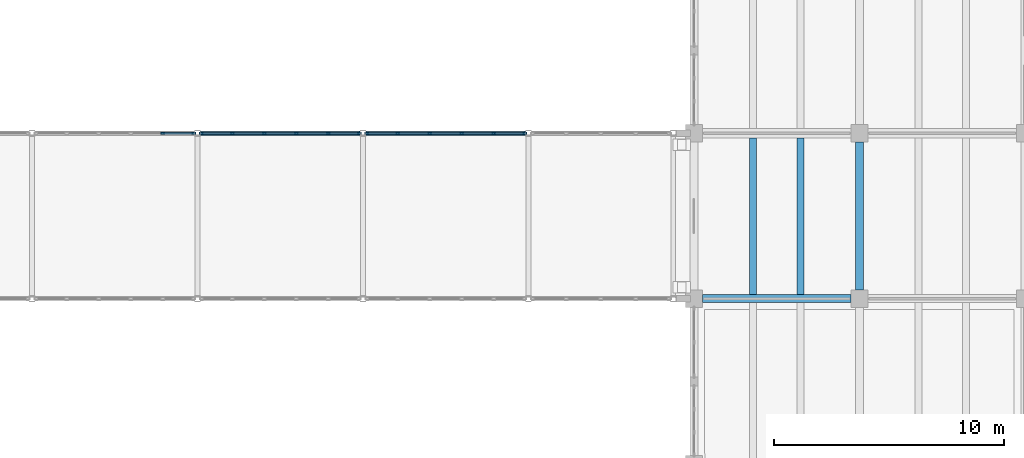
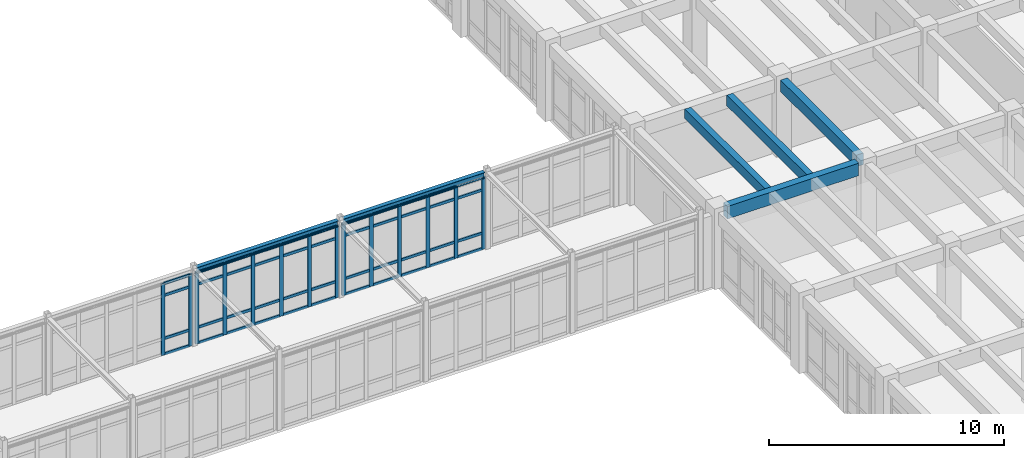
# One storey, part 60 of 136: 57 members, 6 beams, 3 elements without a shape of their own.
"""IFC4 building model written with IfcOpenShell, lengths in metres."""

from ifc_helpers import new_model, si_unit, direction, frame, origin, origin_2d, place, context, subcontext, project, spatial, rectangle, i_section, extrude, material, layer, layer_set, material_profile, profile_set, type_object, element, aggregate, save


model = new_model("IFC4")

# Units and contexts
model_context = context("Model", 3, precision=1e-05, world=origin(), true_north=direction((0.0, 1.0)))
body_context = subcontext(model_context, "Body", "Model", "MODEL_VIEW")
ifc_project = project(units=[si_unit("LENGTHUNIT", "METRE"), si_unit("AREAUNIT", "SQUARE_METRE"), si_unit("VOLUMEUNIT", "CUBIC_METRE"), si_unit("PLANEANGLEUNIT", "RADIAN"), si_unit("MASSUNIT", "GRAM", prefix="KILO")], contexts=[model_context])

# Site, building, storey
site_placement = place(None, origin())
site = spatial("IfcSite", under=ifc_project, at=site_placement, CompositionType="ELEMENT")
building_placement = place(site_placement, origin())
building = spatial("IfcBuilding", under=site, at=building_placement, Name="Koriwan Promenade Central Fire Station", CompositionType="ELEMENT")
storey_placement = place(building_placement, frame((0.0, 0.0, 5.39990234375)))
storey = spatial("IfcBuildingStorey", under=building, at=storey_placement, Name="L01", CompositionType="ELEMENT", Elevation=5.39990234375)

# Beams
ifc_material_1 = material(Name="Concrete C35/45", Category="concrete")
ifc_material_profile_1 = material_profile(ifc_material_1, rectangle(XDim=0.300048828125, YDim=0.5, at=origin_2d()), Name="RC-BM-300x500")
ifc_profile_set_1 = profile_set([ifc_material_profile_1], Name="Concrete C35/45")
beam_type_1 = type_object("IfcBeamType", Name="Beam_RC-BM-300x500", PredefinedType="JOIST", material=ifc_profile_set_1)
beam_1_placement = place(storey_placement, frame((153.76806640625, 43.375, 3.7001953125), z_axis=(0.0, 1.0, 0.0), x_axis=(-1.0, 0.0, 0.0)))
element("IfcBeam", 1, at=beam_1_placement, inside=storey, type_object=beam_type_1, Name="V5 L01 secondary joist 731", PredefinedType="JOIST", context=body_context, shape_type="SweptSolid", body=[
    extrude(rectangle(XDim=0.300048828125, YDim=0.5, at=origin_2d()), origin(), (0.0, 0.0, 1.0), 6.824951171875),
])
ifc_material_profile_2 = material_profile(ifc_material_1, rectangle(XDim=0.300048828125, YDim=0.550048828125, at=origin_2d()), Name="RC-BM-300x550")
ifc_profile_set_2 = profile_set([ifc_material_profile_2], Name="Concrete C35/45")
beam_type_2 = type_object("IfcBeamType", Name="Beam_RC-BM-300x550", PredefinedType="JOIST", material=ifc_profile_set_2)
beam_2_placement = place(storey_placement, frame((155.83203125, 43.375, 3.675048828125), z_axis=(0.0, 1.0, 0.0), x_axis=(-1.0, 0.0, 0.0)))
element("IfcBeam", 2, at=beam_2_placement, inside=storey, type_object=beam_type_2, Name="V5 L01 secondary joist 732", PredefinedType="JOIST", context=body_context, shape_type="SweptSolid", body=[
    extrude(rectangle(XDim=0.300048828125, YDim=0.550048828125, at=origin_2d()), origin(), (0.0, 0.0, 1.0), 6.824951171875),
])
ifc_material_profile_3 = material_profile(ifc_material_1, rectangle(XDim=0.35009765625, YDim=0.60009765625, at=origin_2d()), Name="RC-BM-350x600")
ifc_profile_set_3 = profile_set([ifc_material_profile_3], Name="Concrete C35/45")
beam_type_3 = type_object("IfcBeamType", Name="Beam_RC-BM-350x600", PredefinedType="BEAM", material=ifc_profile_set_3)
beam_3_placement = place(storey_placement, frame((158.39990234375, 43.574951171875, 3.650146484375), z_axis=(0.0, 1.0, 0.0), x_axis=(-1.0, 0.0, 0.0)))
element("IfcBeam", 3, at=beam_3_placement, inside=storey, type_object=beam_type_3, Name="V5 L01 girder Y-676", PredefinedType="BEAM", context=body_context, shape_type="SweptSolid", body=[
    extrude(rectangle(XDim=0.35009765625, YDim=0.60009765625, at=origin_2d()), origin(), (0.0, 0.0, 1.0), 6.449951171875),
])
ifc_material_profile_4 = material_profile(ifc_material_1, rectangle(XDim=0.35009765625, YDim=0.64990234375, at=origin_2d()), Name="RC-SP-350x650")
ifc_profile_set_4 = profile_set([ifc_material_profile_4], Name="Concrete C35/45")
beam_type_4 = type_object("IfcBeamType", Name="Beam_RC-SP-350x650", PredefinedType="SPANDREL", material=ifc_profile_set_4)
beam_4_placement = place(storey_placement, frame((151.574951171875, 43.199951171875, 3.625), z_axis=(1.0, 0.0, 0.0), x_axis=(0.0, 1.0, 0.0)))
element("IfcBeam", 4, at=beam_4_placement, inside=storey, type_object=beam_type_4, Name="V5 L01 girder X-643", PredefinedType="SPANDREL", context=body_context, shape_type="SweptSolid", body=[
    extrude(rectangle(XDim=0.35009765625, YDim=0.64990234375, at=origin_2d()), origin(), (0.0, 0.0, 1.0), 6.449951171875),
])

# Curtain wall, members
ifc_material_2 = material(Name="Aluminium EN AW-6063-T6 and low-E glazing", Category="aluminium")
ifc_layer = layer(ifc_material_2, 0.159912109375, Name="Aluminium EN AW-6063-T6 and low-E glazing")
ifc_layer_set = layer_set([ifc_layer], Name="Aluminium EN AW-6063-T6 and low-E glazing")
curtain_wall_type = type_object("IfcCurtainWallType", Name="CurtainWall_98_695x374", PredefinedType="USERDEFINED", material=ifc_layer_set)
curtain_wall_1_placement = place(storey_placement, origin())
curtain_wall_1 = element("IfcCurtainWall", 5, at=curtain_wall_1_placement, inside=storey, type_object=curtain_wall_type, Name="V5 L01 unitised curtain wall 311", ObjectType="UNITISED CURTAIN WALL", PredefinedType="USERDEFINED")
ifc_material_3 = material(Name="Aluminium EN AW-6063-T6", Category="aluminium")
ifc_material_profile_5 = material_profile(ifc_material_3, rectangle(XDim=0.074951171875, YDim=0.179931640625, at=origin_2d()), Name="ALU-MUL-75x180")
ifc_profile_set_5 = profile_set([ifc_material_profile_5], Name="Aluminium EN AW-6063-T6")
member_type_1 = type_object("IfcMemberType", Name="CWMullion_ALU-MUL-75x180", PredefinedType="MULLION", material=ifc_profile_set_5)
member_1_placement = place(storey_placement, frame((128.0849609375, 50.39990234375, 0.0), z_axis=(0.0, 0.0, 1.0), x_axis=(0.0, 1.0, 0.0)))
member_1 = element("IfcMember", 6, at=member_1_placement, type_object=member_type_1, Name="CW-98 mullion 5", PredefinedType="MULLION", context=body_context, shape_type="SweptSolid", body=[
    extrude(rectangle(XDim=0.074951171875, YDim=0.179931640625, at=origin_2d()), origin(), (0.0, 0.0, 1.0), 3.739990234375),
])
member_2_placement = place(storey_placement, frame((129.4375, 50.39990234375, 0.0), z_axis=(0.0, 0.0, 1.0), x_axis=(0.0, 1.0, 0.0)))
member_2 = element("IfcMember", 7, at=member_2_placement, type_object=member_type_1, Name="CW-98 mullion 6", PredefinedType="MULLION", context=body_context, shape_type="SweptSolid", body=[
    extrude(rectangle(XDim=0.074951171875, YDim=0.179931640625, at=origin_2d()), origin(), (0.0, 0.0, 1.0), 3.739990234375),
])

curtain_wall_2_placement = place(storey_placement, origin())
curtain_wall_2 = element("IfcCurtainWall", 8, at=curtain_wall_2_placement, inside=storey, type_object=curtain_wall_type, Name="V5 L01 unitised curtain wall 313", ObjectType="UNITISED CURTAIN WALL", PredefinedType="USERDEFINED")
member_3_placement = place(storey_placement, frame((129.762451171875, 50.39990234375, 0.0), z_axis=(0.0, 0.0, 1.0), x_axis=(0.0, 1.0, 0.0)))
member_3 = element("IfcMember", 9, at=member_3_placement, type_object=member_type_1, Name="CW-98 mullion 1", PredefinedType="MULLION", context=body_context, shape_type="SweptSolid", body=[
    extrude(rectangle(XDim=0.074951171875, YDim=0.179931640625, at=origin_2d()), origin(), (0.0, 0.0, 1.0), 3.739990234375),
])
member_4_placement = place(storey_placement, frame((131.114990234375, 50.39990234375, 0.0), z_axis=(0.0, 0.0, 1.0), x_axis=(0.0, 1.0, 0.0)))
member_4 = element("IfcMember", 10, at=member_4_placement, type_object=member_type_1, Name="CW-98 mullion 2", PredefinedType="MULLION", context=body_context, shape_type="SweptSolid", body=[
    extrude(rectangle(XDim=0.074951171875, YDim=0.179931640625, at=origin_2d()), origin(), (0.0, 0.0, 1.0), 3.739990234375),
])
member_5_placement = place(storey_placement, frame((132.5048828125, 50.39990234375, 0.0), z_axis=(0.0, 0.0, 1.0), x_axis=(0.0, 1.0, 0.0)))
member_5 = element("IfcMember", 11, at=member_5_placement, type_object=member_type_1, Name="CW-98 mullion 3", PredefinedType="MULLION", context=body_context, shape_type="SweptSolid", body=[
    extrude(rectangle(XDim=0.074951171875, YDim=0.179931640625, at=origin_2d()), origin(), (0.0, 0.0, 1.0), 3.739990234375),
])
member_6_placement = place(storey_placement, frame((133.89501953125, 50.39990234375, 0.0), z_axis=(0.0, 0.0, 1.0), x_axis=(0.0, 1.0, 0.0)))
member_6 = element("IfcMember", 12, at=member_6_placement, type_object=member_type_1, Name="CW-98 mullion 4", PredefinedType="MULLION", context=body_context, shape_type="SweptSolid", body=[
    extrude(rectangle(XDim=0.074951171875, YDim=0.179931640625, at=origin_2d()), origin(), (0.0, 0.0, 1.0), 3.739990234375),
])
member_7_placement = place(storey_placement, frame((135.284912109375, 50.39990234375, 0.0), z_axis=(0.0, 0.0, 1.0), x_axis=(0.0, 1.0, 0.0)))
member_7 = element("IfcMember", 13, at=member_7_placement, type_object=member_type_1, Name="CW-98 mullion 5", PredefinedType="MULLION", context=body_context, shape_type="SweptSolid", body=[
    extrude(rectangle(XDim=0.074951171875, YDim=0.179931640625, at=origin_2d()), origin(), (0.0, 0.0, 1.0), 3.739990234375),
])
member_8_placement = place(storey_placement, frame((136.637451171875, 50.39990234375, 0.0), z_axis=(0.0, 0.0, 1.0), x_axis=(0.0, 1.0, 0.0)))
member_8 = element("IfcMember", 14, at=member_8_placement, type_object=member_type_1, Name="CW-98 mullion 6", PredefinedType="MULLION", context=body_context, shape_type="SweptSolid", body=[
    extrude(rectangle(XDim=0.074951171875, YDim=0.179931640625, at=origin_2d()), origin(), (0.0, 0.0, 1.0), 3.739990234375),
])

curtain_wall_3_placement = place(storey_placement, origin())
curtain_wall_3 = element("IfcCurtainWall", 15, at=curtain_wall_3_placement, inside=storey, type_object=curtain_wall_type, Name="V5 L01 unitised curtain wall 315", ObjectType="UNITISED CURTAIN WALL", PredefinedType="USERDEFINED")
member_9_placement = place(storey_placement, frame((136.96240234375, 50.39990234375, 0.0), z_axis=(0.0, 0.0, 1.0), x_axis=(0.0, 1.0, 0.0)))
member_9 = element("IfcMember", 16, at=member_9_placement, type_object=member_type_1, Name="CW-98 mullion 1", PredefinedType="MULLION", context=body_context, shape_type="SweptSolid", body=[
    extrude(rectangle(XDim=0.074951171875, YDim=0.179931640625, at=origin_2d()), origin(), (0.0, 0.0, 1.0), 3.739990234375),
])
member_10_placement = place(storey_placement, frame((138.31494140625, 50.39990234375, 0.0), z_axis=(0.0, 0.0, 1.0), x_axis=(0.0, 1.0, 0.0)))
member_10 = element("IfcMember", 17, at=member_10_placement, type_object=member_type_1, Name="CW-98 mullion 2", PredefinedType="MULLION", context=body_context, shape_type="SweptSolid", body=[
    extrude(rectangle(XDim=0.074951171875, YDim=0.179931640625, at=origin_2d()), origin(), (0.0, 0.0, 1.0), 3.739990234375),
])
member_11_placement = place(storey_placement, frame((139.705078125, 50.39990234375, 0.0), z_axis=(0.0, 0.0, 1.0), x_axis=(0.0, 1.0, 0.0)))
member_11 = element("IfcMember", 18, at=member_11_placement, type_object=member_type_1, Name="CW-98 mullion 3", PredefinedType="MULLION", context=body_context, shape_type="SweptSolid", body=[
    extrude(rectangle(XDim=0.074951171875, YDim=0.179931640625, at=origin_2d()), origin(), (0.0, 0.0, 1.0), 3.739990234375),
])
member_12_placement = place(storey_placement, frame((141.094970703125, 50.39990234375, 0.0), z_axis=(0.0, 0.0, 1.0), x_axis=(0.0, 1.0, 0.0)))
member_12 = element("IfcMember", 19, at=member_12_placement, type_object=member_type_1, Name="CW-98 mullion 4", PredefinedType="MULLION", context=body_context, shape_type="SweptSolid", body=[
    extrude(rectangle(XDim=0.074951171875, YDim=0.179931640625, at=origin_2d()), origin(), (0.0, 0.0, 1.0), 3.739990234375),
])
member_13_placement = place(storey_placement, frame((142.485107421875, 50.39990234375, 0.0), z_axis=(0.0, 0.0, 1.0), x_axis=(0.0, 1.0, 0.0)))
member_13 = element("IfcMember", 20, at=member_13_placement, type_object=member_type_1, Name="CW-98 mullion 5", PredefinedType="MULLION", context=body_context, shape_type="SweptSolid", body=[
    extrude(rectangle(XDim=0.074951171875, YDim=0.179931640625, at=origin_2d()), origin(), (0.0, 0.0, 1.0), 3.739990234375),
])
member_14_placement = place(storey_placement, frame((143.83740234375, 50.39990234375, 0.0), z_axis=(0.0, 0.0, 1.0), x_axis=(0.0, 1.0, 0.0)))
member_14 = element("IfcMember", 21, at=member_14_placement, type_object=member_type_1, Name="CW-98 mullion 6", PredefinedType="MULLION", context=body_context, shape_type="SweptSolid", body=[
    extrude(rectangle(XDim=0.074951171875, YDim=0.179931640625, at=origin_2d()), origin(), (0.0, 0.0, 1.0), 3.739990234375),
])

# Member
ifc_material_profile_6 = material_profile(ifc_material_3, rectangle(XDim=0.074951171875, YDim=0.139892578125, at=origin_2d()), Name="ALU-TRN-75x140")
ifc_profile_set_6 = profile_set([ifc_material_profile_6], Name="Aluminium EN AW-6063-T6")
member_type_2 = type_object("IfcMemberType", Name="CWTransom_ALU-TRN-75x140", PredefinedType="USERDEFINED", material=ifc_profile_set_6)
member_15_placement = place(storey_placement, frame((128.12255859375, 50.39990234375, 0.03759765625), z_axis=(1.0, 0.0, 0.0), x_axis=(0.0, 1.0, 0.0)))
member_15 = element("IfcMember", 22, at=member_15_placement, type_object=member_type_2, Name="CW-98 transom 5.1", ObjectType="TRANSOM", PredefinedType="USERDEFINED", context=body_context, shape_type="SweptSolid", body=[
    extrude(rectangle(XDim=0.074951171875, YDim=0.139892578125, at=origin_2d()), origin(), (0.0, 0.0, 1.0), 1.27734375),
])

member_16_placement = place(storey_placement, frame((128.12255859375, 50.39990234375, 0.85009765625), z_axis=(1.0, 0.0, 0.0), x_axis=(0.0, 1.0, 0.0)))
member_16 = element("IfcMember", 23, at=member_16_placement, type_object=member_type_2, Name="CW-98 transom 5.2", ObjectType="TRANSOM", PredefinedType="USERDEFINED", context=body_context, shape_type="SweptSolid", body=[
    extrude(rectangle(XDim=0.074951171875, YDim=0.139892578125, at=origin_2d()), origin(), (0.0, 0.0, 1.0), 1.27734375),
])

member_17_placement = place(storey_placement, frame((128.12255859375, 50.39990234375, 3.090087890625), z_axis=(1.0, 0.0, 0.0), x_axis=(0.0, 1.0, 0.0)))
member_17 = element("IfcMember", 24, at=member_17_placement, type_object=member_type_2, Name="CW-98 transom 5.3", ObjectType="TRANSOM", PredefinedType="USERDEFINED", context=body_context, shape_type="SweptSolid", body=[
    extrude(rectangle(XDim=0.074951171875, YDim=0.139892578125, at=origin_2d()), origin(), (0.0, 0.0, 1.0), 1.27734375),
])

member_18_placement = place(storey_placement, frame((128.12255859375, 50.39990234375, 3.70263671875), z_axis=(1.0, 0.0, 0.0), x_axis=(0.0, 1.0, 0.0)))
member_18 = element("IfcMember", 25, at=member_18_placement, type_object=member_type_2, Name="CW-98 transom 5.4", ObjectType="TRANSOM", PredefinedType="USERDEFINED", context=body_context, shape_type="SweptSolid", body=[
    extrude(rectangle(XDim=0.074951171875, YDim=0.139892578125, at=origin_2d()), origin(), (0.0, 0.0, 1.0), 1.27734375),
])

aggregate(curtain_wall_1, [member_1, member_2, member_15, member_16, member_17, member_18])

member_19_placement = place(storey_placement, frame((129.800048828125, 50.39990234375, 0.03759765625), z_axis=(1.0, 0.0, 0.0), x_axis=(0.0, 1.0, 0.0)))
member_19 = element("IfcMember", 26, at=member_19_placement, type_object=member_type_2, Name="CW-98 transom 1.1", ObjectType="TRANSOM", PredefinedType="USERDEFINED", context=body_context, shape_type="SweptSolid", body=[
    extrude(rectangle(XDim=0.074951171875, YDim=0.139892578125, at=origin_2d()), origin(), (0.0, 0.0, 1.0), 1.27734375),
])

member_20_placement = place(storey_placement, frame((129.800048828125, 50.39990234375, 0.85009765625), z_axis=(1.0, 0.0, 0.0), x_axis=(0.0, 1.0, 0.0)))
member_20 = element("IfcMember", 27, at=member_20_placement, type_object=member_type_2, Name="CW-98 transom 1.2", ObjectType="TRANSOM", PredefinedType="USERDEFINED", context=body_context, shape_type="SweptSolid", body=[
    extrude(rectangle(XDim=0.074951171875, YDim=0.139892578125, at=origin_2d()), origin(), (0.0, 0.0, 1.0), 1.27734375),
])

member_21_placement = place(storey_placement, frame((129.800048828125, 50.39990234375, 3.090087890625), z_axis=(1.0, 0.0, 0.0), x_axis=(0.0, 1.0, 0.0)))
member_21 = element("IfcMember", 28, at=member_21_placement, type_object=member_type_2, Name="CW-98 transom 1.3", ObjectType="TRANSOM", PredefinedType="USERDEFINED", context=body_context, shape_type="SweptSolid", body=[
    extrude(rectangle(XDim=0.074951171875, YDim=0.139892578125, at=origin_2d()), origin(), (0.0, 0.0, 1.0), 1.27734375),
])

member_22_placement = place(storey_placement, frame((129.800048828125, 50.39990234375, 3.70263671875), z_axis=(1.0, 0.0, 0.0), x_axis=(0.0, 1.0, 0.0)))
member_22 = element("IfcMember", 29, at=member_22_placement, type_object=member_type_2, Name="CW-98 transom 1.4", ObjectType="TRANSOM", PredefinedType="USERDEFINED", context=body_context, shape_type="SweptSolid", body=[
    extrude(rectangle(XDim=0.074951171875, YDim=0.139892578125, at=origin_2d()), origin(), (0.0, 0.0, 1.0), 1.27734375),
])

member_23_placement = place(storey_placement, frame((131.152587890625, 50.39990234375, 0.03759765625), z_axis=(1.0, 0.0, 0.0), x_axis=(0.0, 1.0, 0.0)))
member_23 = element("IfcMember", 30, at=member_23_placement, type_object=member_type_2, Name="CW-98 transom 2.1", ObjectType="TRANSOM", PredefinedType="USERDEFINED", context=body_context, shape_type="SweptSolid", body=[
    extrude(rectangle(XDim=0.074951171875, YDim=0.139892578125, at=origin_2d()), origin(), (0.0, 0.0, 1.0), 1.31494140625),
])

member_24_placement = place(storey_placement, frame((131.152587890625, 50.39990234375, 0.85009765625), z_axis=(1.0, 0.0, 0.0), x_axis=(0.0, 1.0, 0.0)))
member_24 = element("IfcMember", 31, at=member_24_placement, type_object=member_type_2, Name="CW-98 transom 2.2", ObjectType="TRANSOM", PredefinedType="USERDEFINED", context=body_context, shape_type="SweptSolid", body=[
    extrude(rectangle(XDim=0.074951171875, YDim=0.139892578125, at=origin_2d()), origin(), (0.0, 0.0, 1.0), 1.31494140625),
])

member_25_placement = place(storey_placement, frame((131.152587890625, 50.39990234375, 3.090087890625), z_axis=(1.0, 0.0, 0.0), x_axis=(0.0, 1.0, 0.0)))
member_25 = element("IfcMember", 32, at=member_25_placement, type_object=member_type_2, Name="CW-98 transom 2.3", ObjectType="TRANSOM", PredefinedType="USERDEFINED", context=body_context, shape_type="SweptSolid", body=[
    extrude(rectangle(XDim=0.074951171875, YDim=0.139892578125, at=origin_2d()), origin(), (0.0, 0.0, 1.0), 1.31494140625),
])

member_26_placement = place(storey_placement, frame((131.152587890625, 50.39990234375, 3.70263671875), z_axis=(1.0, 0.0, 0.0), x_axis=(0.0, 1.0, 0.0)))
member_26 = element("IfcMember", 33, at=member_26_placement, type_object=member_type_2, Name="CW-98 transom 2.4", ObjectType="TRANSOM", PredefinedType="USERDEFINED", context=body_context, shape_type="SweptSolid", body=[
    extrude(rectangle(XDim=0.074951171875, YDim=0.139892578125, at=origin_2d()), origin(), (0.0, 0.0, 1.0), 1.31494140625),
])

member_27_placement = place(storey_placement, frame((132.54248046875, 50.39990234375, 0.03759765625), z_axis=(1.0, 0.0, 0.0), x_axis=(0.0, 1.0, 0.0)))
member_27 = element("IfcMember", 34, at=member_27_placement, type_object=member_type_2, Name="CW-98 transom 3.1", ObjectType="TRANSOM", PredefinedType="USERDEFINED", context=body_context, shape_type="SweptSolid", body=[
    extrude(rectangle(XDim=0.074951171875, YDim=0.139892578125, at=origin_2d()), origin(), (0.0, 0.0, 1.0), 1.31494140625),
])

member_28_placement = place(storey_placement, frame((132.54248046875, 50.39990234375, 0.85009765625), z_axis=(1.0, 0.0, 0.0), x_axis=(0.0, 1.0, 0.0)))
member_28 = element("IfcMember", 35, at=member_28_placement, type_object=member_type_2, Name="CW-98 transom 3.2", ObjectType="TRANSOM", PredefinedType="USERDEFINED", context=body_context, shape_type="SweptSolid", body=[
    extrude(rectangle(XDim=0.074951171875, YDim=0.139892578125, at=origin_2d()), origin(), (0.0, 0.0, 1.0), 1.31494140625),
])

member_29_placement = place(storey_placement, frame((132.54248046875, 50.39990234375, 3.090087890625), z_axis=(1.0, 0.0, 0.0), x_axis=(0.0, 1.0, 0.0)))
member_29 = element("IfcMember", 36, at=member_29_placement, type_object=member_type_2, Name="CW-98 transom 3.3", ObjectType="TRANSOM", PredefinedType="USERDEFINED", context=body_context, shape_type="SweptSolid", body=[
    extrude(rectangle(XDim=0.074951171875, YDim=0.139892578125, at=origin_2d()), origin(), (0.0, 0.0, 1.0), 1.31494140625),
])

member_30_placement = place(storey_placement, frame((132.54248046875, 50.39990234375, 3.70263671875), z_axis=(1.0, 0.0, 0.0), x_axis=(0.0, 1.0, 0.0)))
member_30 = element("IfcMember", 37, at=member_30_placement, type_object=member_type_2, Name="CW-98 transom 3.4", ObjectType="TRANSOM", PredefinedType="USERDEFINED", context=body_context, shape_type="SweptSolid", body=[
    extrude(rectangle(XDim=0.074951171875, YDim=0.139892578125, at=origin_2d()), origin(), (0.0, 0.0, 1.0), 1.31494140625),
])

member_31_placement = place(storey_placement, frame((133.9326171875, 50.39990234375, 0.03759765625), z_axis=(1.0, 0.0, 0.0), x_axis=(0.0, 1.0, 0.0)))
member_31 = element("IfcMember", 38, at=member_31_placement, type_object=member_type_2, Name="CW-98 transom 4.1", ObjectType="TRANSOM", PredefinedType="USERDEFINED", context=body_context, shape_type="SweptSolid", body=[
    extrude(rectangle(XDim=0.074951171875, YDim=0.139892578125, at=origin_2d()), origin(), (0.0, 0.0, 1.0), 1.31494140625),
])

member_32_placement = place(storey_placement, frame((133.9326171875, 50.39990234375, 0.85009765625), z_axis=(1.0, 0.0, 0.0), x_axis=(0.0, 1.0, 0.0)))
member_32 = element("IfcMember", 39, at=member_32_placement, type_object=member_type_2, Name="CW-98 transom 4.2", ObjectType="TRANSOM", PredefinedType="USERDEFINED", context=body_context, shape_type="SweptSolid", body=[
    extrude(rectangle(XDim=0.074951171875, YDim=0.139892578125, at=origin_2d()), origin(), (0.0, 0.0, 1.0), 1.31494140625),
])

member_33_placement = place(storey_placement, frame((133.9326171875, 50.39990234375, 3.090087890625), z_axis=(1.0, 0.0, 0.0), x_axis=(0.0, 1.0, 0.0)))
member_33 = element("IfcMember", 40, at=member_33_placement, type_object=member_type_2, Name="CW-98 transom 4.3", ObjectType="TRANSOM", PredefinedType="USERDEFINED", context=body_context, shape_type="SweptSolid", body=[
    extrude(rectangle(XDim=0.074951171875, YDim=0.139892578125, at=origin_2d()), origin(), (0.0, 0.0, 1.0), 1.31494140625),
])

member_34_placement = place(storey_placement, frame((133.9326171875, 50.39990234375, 3.70263671875), z_axis=(1.0, 0.0, 0.0), x_axis=(0.0, 1.0, 0.0)))
member_34 = element("IfcMember", 41, at=member_34_placement, type_object=member_type_2, Name="CW-98 transom 4.4", ObjectType="TRANSOM", PredefinedType="USERDEFINED", context=body_context, shape_type="SweptSolid", body=[
    extrude(rectangle(XDim=0.074951171875, YDim=0.139892578125, at=origin_2d()), origin(), (0.0, 0.0, 1.0), 1.31494140625),
])

member_35_placement = place(storey_placement, frame((135.322509765625, 50.39990234375, 0.03759765625), z_axis=(1.0, 0.0, 0.0), x_axis=(0.0, 1.0, 0.0)))
member_35 = element("IfcMember", 42, at=member_35_placement, type_object=member_type_2, Name="CW-98 transom 5.1", ObjectType="TRANSOM", PredefinedType="USERDEFINED", context=body_context, shape_type="SweptSolid", body=[
    extrude(rectangle(XDim=0.074951171875, YDim=0.139892578125, at=origin_2d()), origin(), (0.0, 0.0, 1.0), 1.277587890625),
])

member_36_placement = place(storey_placement, frame((135.322509765625, 50.39990234375, 0.85009765625), z_axis=(1.0, 0.0, 0.0), x_axis=(0.0, 1.0, 0.0)))
member_36 = element("IfcMember", 43, at=member_36_placement, type_object=member_type_2, Name="CW-98 transom 5.2", ObjectType="TRANSOM", PredefinedType="USERDEFINED", context=body_context, shape_type="SweptSolid", body=[
    extrude(rectangle(XDim=0.074951171875, YDim=0.139892578125, at=origin_2d()), origin(), (0.0, 0.0, 1.0), 1.277587890625),
])

member_37_placement = place(storey_placement, frame((135.322509765625, 50.39990234375, 3.090087890625), z_axis=(1.0, 0.0, 0.0), x_axis=(0.0, 1.0, 0.0)))
member_37 = element("IfcMember", 44, at=member_37_placement, type_object=member_type_2, Name="CW-98 transom 5.3", ObjectType="TRANSOM", PredefinedType="USERDEFINED", context=body_context, shape_type="SweptSolid", body=[
    extrude(rectangle(XDim=0.074951171875, YDim=0.139892578125, at=origin_2d()), origin(), (0.0, 0.0, 1.0), 1.277587890625),
])

member_38_placement = place(storey_placement, frame((135.322509765625, 50.39990234375, 3.70263671875), z_axis=(1.0, 0.0, 0.0), x_axis=(0.0, 1.0, 0.0)))
member_38 = element("IfcMember", 45, at=member_38_placement, type_object=member_type_2, Name="CW-98 transom 5.4", ObjectType="TRANSOM", PredefinedType="USERDEFINED", context=body_context, shape_type="SweptSolid", body=[
    extrude(rectangle(XDim=0.074951171875, YDim=0.139892578125, at=origin_2d()), origin(), (0.0, 0.0, 1.0), 1.277587890625),
])

aggregate(curtain_wall_2, [member_3, member_4, member_5, member_6, member_7, member_8, member_19, member_20, member_21, member_22, member_23, member_24, member_25, member_26, member_27, member_28, member_29, member_30, member_31, member_32, member_33, member_34, member_35, member_36, member_37, member_38])

member_39_placement = place(storey_placement, frame((137.0, 50.39990234375, 0.03759765625), z_axis=(1.0, 0.0, 0.0), x_axis=(0.0, 1.0, 0.0)))
member_39 = element("IfcMember", 46, at=member_39_placement, type_object=member_type_2, Name="CW-98 transom 1.1", ObjectType="TRANSOM", PredefinedType="USERDEFINED", context=body_context, shape_type="SweptSolid", body=[
    extrude(rectangle(XDim=0.074951171875, YDim=0.139892578125, at=origin_2d()), origin(), (0.0, 0.0, 1.0), 1.277587890625),
])

member_40_placement = place(storey_placement, frame((137.0, 50.39990234375, 0.85009765625), z_axis=(1.0, 0.0, 0.0), x_axis=(0.0, 1.0, 0.0)))
member_40 = element("IfcMember", 47, at=member_40_placement, type_object=member_type_2, Name="CW-98 transom 1.2", ObjectType="TRANSOM", PredefinedType="USERDEFINED", context=body_context, shape_type="SweptSolid", body=[
    extrude(rectangle(XDim=0.074951171875, YDim=0.139892578125, at=origin_2d()), origin(), (0.0, 0.0, 1.0), 1.277587890625),
])

member_41_placement = place(storey_placement, frame((137.0, 50.39990234375, 3.090087890625), z_axis=(1.0, 0.0, 0.0), x_axis=(0.0, 1.0, 0.0)))
member_41 = element("IfcMember", 48, at=member_41_placement, type_object=member_type_2, Name="CW-98 transom 1.3", ObjectType="TRANSOM", PredefinedType="USERDEFINED", context=body_context, shape_type="SweptSolid", body=[
    extrude(rectangle(XDim=0.074951171875, YDim=0.139892578125, at=origin_2d()), origin(), (0.0, 0.0, 1.0), 1.277587890625),
])

member_42_placement = place(storey_placement, frame((137.0, 50.39990234375, 3.70263671875), z_axis=(1.0, 0.0, 0.0), x_axis=(0.0, 1.0, 0.0)))
member_42 = element("IfcMember", 49, at=member_42_placement, type_object=member_type_2, Name="CW-98 transom 1.4", ObjectType="TRANSOM", PredefinedType="USERDEFINED", context=body_context, shape_type="SweptSolid", body=[
    extrude(rectangle(XDim=0.074951171875, YDim=0.139892578125, at=origin_2d()), origin(), (0.0, 0.0, 1.0), 1.277587890625),
])

member_43_placement = place(storey_placement, frame((138.3525390625, 50.39990234375, 0.03759765625), z_axis=(1.0, 0.0, 0.0), x_axis=(0.0, 1.0, 0.0)))
member_43 = element("IfcMember", 50, at=member_43_placement, type_object=member_type_2, Name="CW-98 transom 2.1", ObjectType="TRANSOM", PredefinedType="USERDEFINED", context=body_context, shape_type="SweptSolid", body=[
    extrude(rectangle(XDim=0.074951171875, YDim=0.139892578125, at=origin_2d()), origin(), (0.0, 0.0, 1.0), 1.31494140625),
])

member_44_placement = place(storey_placement, frame((138.3525390625, 50.39990234375, 0.85009765625), z_axis=(1.0, 0.0, 0.0), x_axis=(0.0, 1.0, 0.0)))
member_44 = element("IfcMember", 51, at=member_44_placement, type_object=member_type_2, Name="CW-98 transom 2.2", ObjectType="TRANSOM", PredefinedType="USERDEFINED", context=body_context, shape_type="SweptSolid", body=[
    extrude(rectangle(XDim=0.074951171875, YDim=0.139892578125, at=origin_2d()), origin(), (0.0, 0.0, 1.0), 1.31494140625),
])

member_45_placement = place(storey_placement, frame((138.3525390625, 50.39990234375, 3.090087890625), z_axis=(1.0, 0.0, 0.0), x_axis=(0.0, 1.0, 0.0)))
member_45 = element("IfcMember", 52, at=member_45_placement, type_object=member_type_2, Name="CW-98 transom 2.3", ObjectType="TRANSOM", PredefinedType="USERDEFINED", context=body_context, shape_type="SweptSolid", body=[
    extrude(rectangle(XDim=0.074951171875, YDim=0.139892578125, at=origin_2d()), origin(), (0.0, 0.0, 1.0), 1.31494140625),
])

member_46_placement = place(storey_placement, frame((138.3525390625, 50.39990234375, 3.70263671875), z_axis=(1.0, 0.0, 0.0), x_axis=(0.0, 1.0, 0.0)))
member_46 = element("IfcMember", 53, at=member_46_placement, type_object=member_type_2, Name="CW-98 transom 2.4", ObjectType="TRANSOM", PredefinedType="USERDEFINED", context=body_context, shape_type="SweptSolid", body=[
    extrude(rectangle(XDim=0.074951171875, YDim=0.139892578125, at=origin_2d()), origin(), (0.0, 0.0, 1.0), 1.31494140625),
])

member_47_placement = place(storey_placement, frame((139.742431640625, 50.39990234375, 0.03759765625), z_axis=(1.0, 0.0, 0.0), x_axis=(0.0, 1.0, 0.0)))
member_47 = element("IfcMember", 54, at=member_47_placement, type_object=member_type_2, Name="CW-98 transom 3.1", ObjectType="TRANSOM", PredefinedType="USERDEFINED", context=body_context, shape_type="SweptSolid", body=[
    extrude(rectangle(XDim=0.074951171875, YDim=0.139892578125, at=origin_2d()), origin(), (0.0, 0.0, 1.0), 1.315185546875),
])

member_48_placement = place(storey_placement, frame((139.742431640625, 50.39990234375, 0.85009765625), z_axis=(1.0, 0.0, 0.0), x_axis=(0.0, 1.0, 0.0)))
member_48 = element("IfcMember", 55, at=member_48_placement, type_object=member_type_2, Name="CW-98 transom 3.2", ObjectType="TRANSOM", PredefinedType="USERDEFINED", context=body_context, shape_type="SweptSolid", body=[
    extrude(rectangle(XDim=0.074951171875, YDim=0.139892578125, at=origin_2d()), origin(), (0.0, 0.0, 1.0), 1.315185546875),
])

member_49_placement = place(storey_placement, frame((139.742431640625, 50.39990234375, 3.090087890625), z_axis=(1.0, 0.0, 0.0), x_axis=(0.0, 1.0, 0.0)))
member_49 = element("IfcMember", 56, at=member_49_placement, type_object=member_type_2, Name="CW-98 transom 3.3", ObjectType="TRANSOM", PredefinedType="USERDEFINED", context=body_context, shape_type="SweptSolid", body=[
    extrude(rectangle(XDim=0.074951171875, YDim=0.139892578125, at=origin_2d()), origin(), (0.0, 0.0, 1.0), 1.315185546875),
])

member_50_placement = place(storey_placement, frame((139.742431640625, 50.39990234375, 3.70263671875), z_axis=(1.0, 0.0, 0.0), x_axis=(0.0, 1.0, 0.0)))
member_50 = element("IfcMember", 57, at=member_50_placement, type_object=member_type_2, Name="CW-98 transom 3.4", ObjectType="TRANSOM", PredefinedType="USERDEFINED", context=body_context, shape_type="SweptSolid", body=[
    extrude(rectangle(XDim=0.074951171875, YDim=0.139892578125, at=origin_2d()), origin(), (0.0, 0.0, 1.0), 1.315185546875),
])

member_51_placement = place(storey_placement, frame((141.132568359375, 50.39990234375, 0.03759765625), z_axis=(1.0, 0.0, 0.0), x_axis=(0.0, 1.0, 0.0)))
member_51 = element("IfcMember", 58, at=member_51_placement, type_object=member_type_2, Name="CW-98 transom 4.1", ObjectType="TRANSOM", PredefinedType="USERDEFINED", context=body_context, shape_type="SweptSolid", body=[
    extrude(rectangle(XDim=0.074951171875, YDim=0.139892578125, at=origin_2d()), origin(), (0.0, 0.0, 1.0), 1.31494140625),
])

member_52_placement = place(storey_placement, frame((141.132568359375, 50.39990234375, 0.85009765625), z_axis=(1.0, 0.0, 0.0), x_axis=(0.0, 1.0, 0.0)))
member_52 = element("IfcMember", 59, at=member_52_placement, type_object=member_type_2, Name="CW-98 transom 4.2", ObjectType="TRANSOM", PredefinedType="USERDEFINED", context=body_context, shape_type="SweptSolid", body=[
    extrude(rectangle(XDim=0.074951171875, YDim=0.139892578125, at=origin_2d()), origin(), (0.0, 0.0, 1.0), 1.31494140625),
])

member_53_placement = place(storey_placement, frame((141.132568359375, 50.39990234375, 3.090087890625), z_axis=(1.0, 0.0, 0.0), x_axis=(0.0, 1.0, 0.0)))
member_53 = element("IfcMember", 60, at=member_53_placement, type_object=member_type_2, Name="CW-98 transom 4.3", ObjectType="TRANSOM", PredefinedType="USERDEFINED", context=body_context, shape_type="SweptSolid", body=[
    extrude(rectangle(XDim=0.074951171875, YDim=0.139892578125, at=origin_2d()), origin(), (0.0, 0.0, 1.0), 1.31494140625),
])

member_54_placement = place(storey_placement, frame((141.132568359375, 50.39990234375, 3.70263671875), z_axis=(1.0, 0.0, 0.0), x_axis=(0.0, 1.0, 0.0)))
member_54 = element("IfcMember", 61, at=member_54_placement, type_object=member_type_2, Name="CW-98 transom 4.4", ObjectType="TRANSOM", PredefinedType="USERDEFINED", context=body_context, shape_type="SweptSolid", body=[
    extrude(rectangle(XDim=0.074951171875, YDim=0.139892578125, at=origin_2d()), origin(), (0.0, 0.0, 1.0), 1.31494140625),
])

member_55_placement = place(storey_placement, frame((142.5224609375, 50.39990234375, 0.03759765625), z_axis=(1.0, 0.0, 0.0), x_axis=(0.0, 1.0, 0.0)))
member_55 = element("IfcMember", 62, at=member_55_placement, type_object=member_type_2, Name="CW-98 transom 5.1", ObjectType="TRANSOM", PredefinedType="USERDEFINED", context=body_context, shape_type="SweptSolid", body=[
    extrude(rectangle(XDim=0.074951171875, YDim=0.139892578125, at=origin_2d()), origin(), (0.0, 0.0, 1.0), 1.277587890625),
])

member_56_placement = place(storey_placement, frame((142.5224609375, 50.39990234375, 0.85009765625), z_axis=(1.0, 0.0, 0.0), x_axis=(0.0, 1.0, 0.0)))
member_56 = element("IfcMember", 63, at=member_56_placement, type_object=member_type_2, Name="CW-98 transom 5.2", ObjectType="TRANSOM", PredefinedType="USERDEFINED", context=body_context, shape_type="SweptSolid", body=[
    extrude(rectangle(XDim=0.074951171875, YDim=0.139892578125, at=origin_2d()), origin(), (0.0, 0.0, 1.0), 1.277587890625),
])

member_57_placement = place(storey_placement, frame((142.5224609375, 50.39990234375, 3.090087890625), z_axis=(1.0, 0.0, 0.0), x_axis=(0.0, 1.0, 0.0)))
member_57 = element("IfcMember", 64, at=member_57_placement, type_object=member_type_2, Name="CW-98 transom 5.3", ObjectType="TRANSOM", PredefinedType="USERDEFINED", context=body_context, shape_type="SweptSolid", body=[
    extrude(rectangle(XDim=0.074951171875, YDim=0.139892578125, at=origin_2d()), origin(), (0.0, 0.0, 1.0), 1.277587890625),
])

aggregate(curtain_wall_3, [member_9, member_10, member_11, member_12, member_13, member_14, member_39, member_40, member_41, member_42, member_43, member_44, member_45, member_46, member_47, member_48, member_49, member_50, member_51, member_52, member_53, member_54, member_55, member_56, member_57])

# Beams
ifc_material_4 = material(Name="Steel ASTM A992 Grade 50", Category="steel")
ifc_material_profile_7 = material_profile(ifc_material_4, i_section(OverallWidth=0.205078125, OverallDepth=0.31005859375, WebThickness=0.009521484375, FlangeThickness=0.016357421875, FilletRadius=0.014892578125, at=origin_2d()), Name="W310x74")
ifc_profile_set_7 = profile_set([ifc_material_profile_7], Name="Steel ASTM A992 Grade 50")
beam_type_5 = type_object("IfcBeamType", Name="SteelBeam_W310x74", PredefinedType="BEAM", material=ifc_profile_set_7)
beam_5_placement = place(storey_placement, frame((129.72998046875, 50.39990234375, 3.864990234375), z_axis=(1.0, 0.0, 0.0), x_axis=(0.0, 1.0, 0.0)))
element("IfcBeam", 65, at=beam_5_placement, inside=storey, type_object=beam_type_5, Name="Bridge roof girder 1130", PredefinedType="BEAM", context=body_context, shape_type="SweptSolid", body=[
    extrude(i_section(OverallWidth=0.205078125, OverallDepth=0.31005859375, WebThickness=0.009521484375, FlangeThickness=0.016357421875, FilletRadius=0.014892578125, at=origin_2d()), origin(), (0.0, 0.0, 1.0), 6.93994140625),
])
beam_6_placement = place(storey_placement, frame((136.929931640625, 50.39990234375, 3.864990234375), z_axis=(1.0, 0.0, 0.0), x_axis=(0.0, 1.0, 0.0)))
element("IfcBeam", 66, at=beam_6_placement, inside=storey, type_object=beam_type_5, Name="Bridge roof girder 1132", PredefinedType="BEAM", context=body_context, shape_type="SweptSolid", body=[
    extrude(i_section(OverallWidth=0.205078125, OverallDepth=0.31005859375, WebThickness=0.009521484375, FlangeThickness=0.016357421875, FilletRadius=0.014892578125, at=origin_2d()), origin(), (0.0, 0.0, 1.0), 6.940185546875),
])

save(model, "model.ifc")
